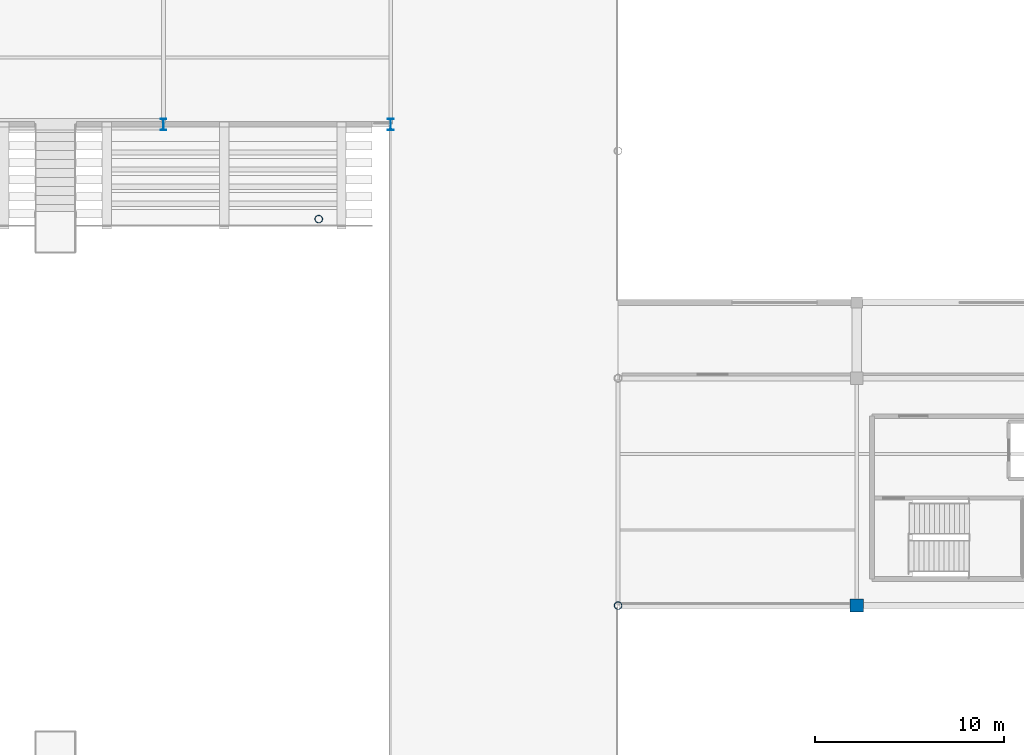
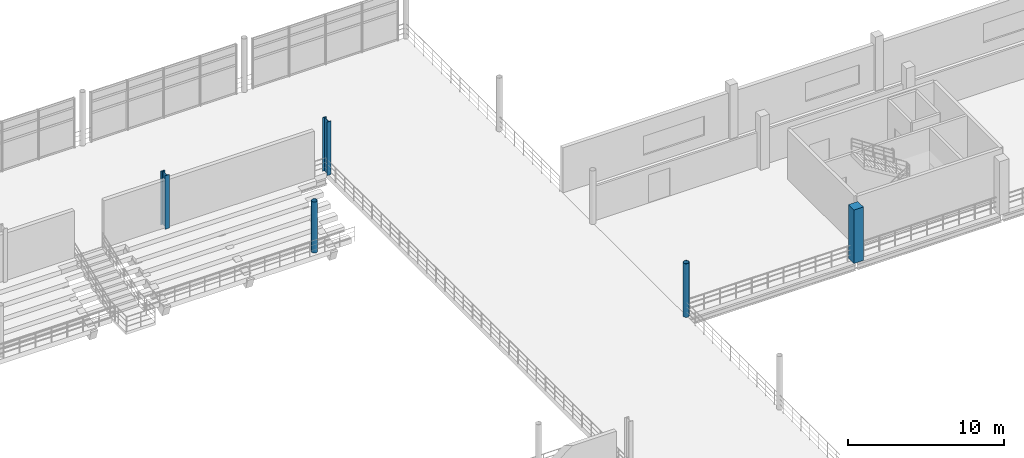
# One storey, part 7 of 89: 5 columns.
"""IFC4 building model written with IfcOpenShell, lengths in metres."""

from ifc_helpers import new_model, si_unit, direction, frame, origin, origin_2d, place, context, subcontext, project, spatial, rectangle, hollow_circle, i_section, extrude, material, material_profile, profile_set, type_object, element, save


model = new_model("IFC4")

# Units and contexts
model_context = context("Model", 3, precision=1e-05, world=origin(), true_north=direction((0.0, 1.0)))
body_context = subcontext(model_context, "Body", "Model", "MODEL_VIEW")
ifc_project = project(units=[si_unit("LENGTHUNIT", "METRE"), si_unit("AREAUNIT", "SQUARE_METRE"), si_unit("VOLUMEUNIT", "CUBIC_METRE"), si_unit("PLANEANGLEUNIT", "RADIAN"), si_unit("MASSUNIT", "GRAM", prefix="KILO"), si_unit("THERMODYNAMICTEMPERATUREUNIT", "KELVIN"), si_unit("POWERUNIT", "WATT")], contexts=[model_context])

# Site, building, storey
site_placement = place(None, origin())
site = spatial("IfcSite", under=ifc_project, at=site_placement, CompositionType="ELEMENT")
building_placement = place(site_placement, origin())
building = spatial("IfcBuilding", under=site, at=building_placement, Name="Solmara Park Aquatics Centre", CompositionType="ELEMENT")
storey_placement = place(building_placement, frame((0.0, 0.0, 5.39990234375)))
storey = spatial("IfcBuildingStorey", under=building, at=storey_placement, Name="L01", CompositionType="ELEMENT", Elevation=5.39990234375)

# Columns
ifc_material_1 = material(Name="Structural Steel S355", Category="steel")
ifc_material_profile_1 = material_profile(ifc_material_1, hollow_circle(Radius=0.203125, WallThickness=0.01611328125, at=origin_2d()), Name="CHS 406.4x16")
ifc_profile_set_1 = profile_set([ifc_material_profile_1], Name="Structural Steel S355")
column_type_1 = type_object("IfcColumnType", Name="STR-COL-CHS406", PredefinedType="COLUMN", material=ifc_profile_set_1)
column_1_placement = place(storey_placement, frame((96.60009765625, 36.60009765625, 0.0), z_axis=(0.0, 0.0, 1.0), x_axis=(1.0, 0.0, 0.0)))
element("IfcColumn", 1, at=column_1_placement, inside=storey, type_object=column_type_1, Name="Column L01-0386", PredefinedType="COLUMN", context=body_context, shape_type="SweptSolid", body=[
    extrude(hollow_circle(Radius=0.203125, WallThickness=0.01611328125, at=origin_2d()), origin(), (0.0, 0.0, 1.0), 4.2001953125),
])
column_2_placement = place(storey_placement, frame((80.800048828125, 57.0, -1.7998046875), z_axis=(0.0, 0.0, 1.0), x_axis=(1.0, 0.0, 0.0)))
element("IfcColumn", 2, at=column_2_placement, inside=storey, type_object=column_type_1, Name="Upper Stand Front Column L01 N2-2", PredefinedType="COLUMN", context=body_context, shape_type="SweptSolid", body=[
    extrude(hollow_circle(Radius=0.203125, WallThickness=0.01611328125, at=origin_2d()), origin(), (0.0, 0.0, 1.0), 4.0),
])
ifc_material_profile_2 = material_profile(ifc_material_1, i_section(OverallWidth=0.300048828125, OverallDepth=0.60009765625, WebThickness=0.015380859375, FlangeThickness=0.030029296875, FilletRadius=0.027099609375, at=origin_2d()), Name="HEB 600")
ifc_profile_set_2 = profile_set([ifc_material_profile_2], Name="Structural Steel S355")
column_type_2 = type_object("IfcColumnType", Name="STR-COL-HEB600", PredefinedType="COLUMN", material=ifc_profile_set_2)
for number, where, z_axis, x_axis, name in (
    (3, (72.60009765625, 62.0, 0.0), (0.0, 0.0, 1.0), (1.0, 0.0, 0.0), "Column L01-0370"),
    (4, (84.60009765625, 62.0, 0.0), (0.0, 0.0, 1.0), (1.0, 0.0, 0.0), "Column L01-0378"),
):
    element("IfcColumn", number, at=place(storey_placement, frame(where, z_axis=z_axis, x_axis=x_axis)), inside=storey, type_object=column_type_2, Name=name, PredefinedType="COLUMN", context=body_context, shape_type="SweptSolid", body=[
        extrude(i_section(OverallWidth=0.300048828125, OverallDepth=0.60009765625, WebThickness=0.015380859375, FlangeThickness=0.030029296875, FilletRadius=0.027099609375, at=origin_2d()), origin(), (0.0, 0.0, 1.0), 4.2001953125),
    ])
ifc_material_2 = material(Name="Concrete C40/50", Category="concrete")
ifc_material_profile_3 = material_profile(ifc_material_2, rectangle(XDim=0.699951171875, YDim=0.699951171875, at=origin_2d()), Name="RC 700x700")
ifc_profile_set_3 = profile_set([ifc_material_profile_3], Name="Concrete C40/50")
column_type_3 = type_object("IfcColumnType", Name="STR-COL-RC700", PredefinedType="COLUMN", material=ifc_profile_set_3)
column_3_placement = place(storey_placement, frame((109.199951171875, 36.60009765625, 0.0), z_axis=(0.0, 0.0, 1.0), x_axis=(1.0, 0.0, 0.0)))
element("IfcColumn", 5, at=column_3_placement, inside=storey, type_object=column_type_3, Name="Column L01-0397", PredefinedType="COLUMN", context=body_context, shape_type="SweptSolid", body=[
    extrude(rectangle(XDim=0.699951171875, YDim=0.699951171875, at=origin_2d()), origin(), (0.0, 0.0, 1.0), 4.2001953125),
])

save(model, "model.ifc")
